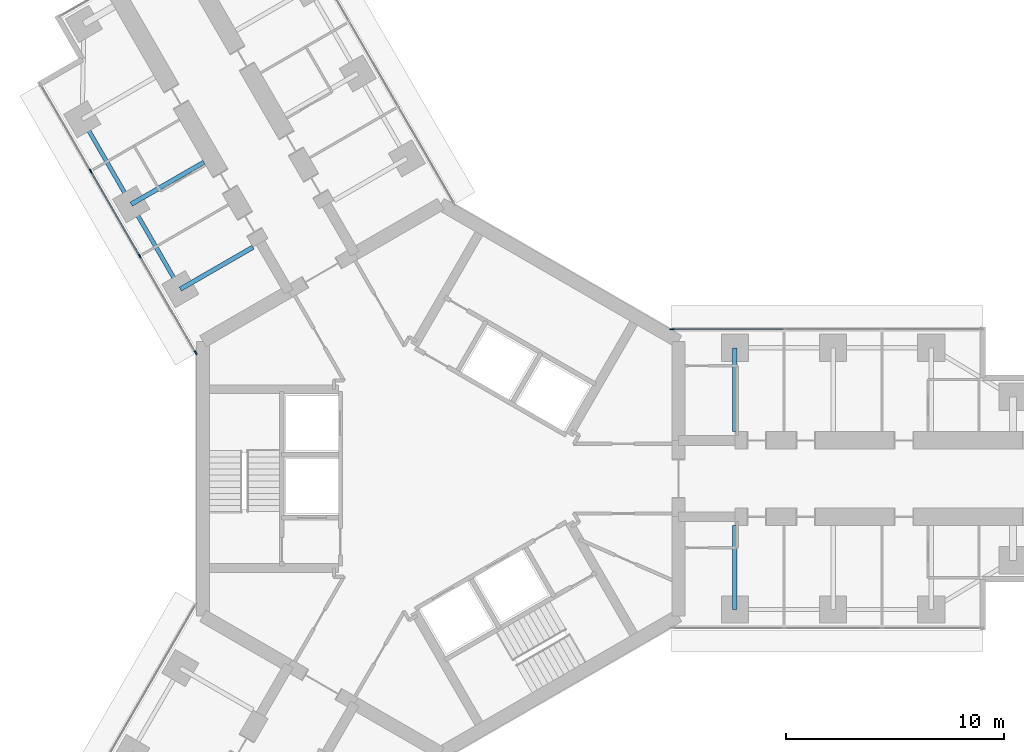
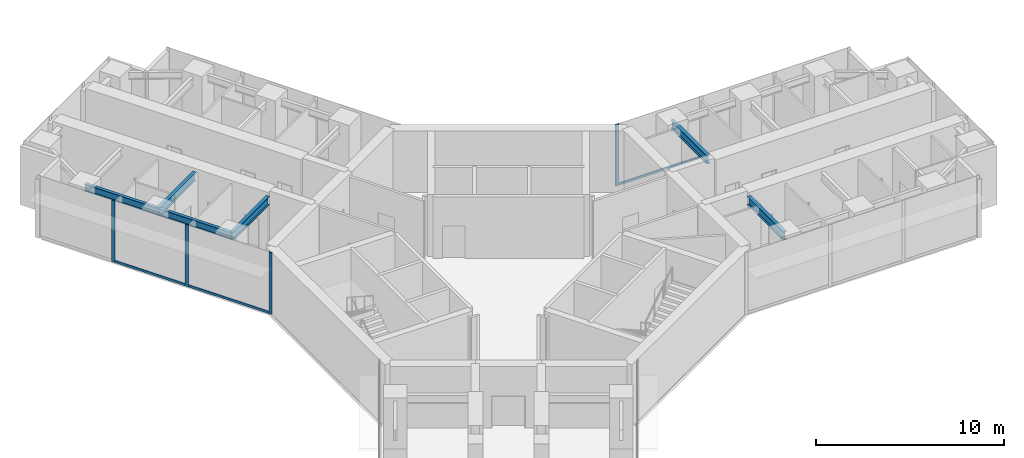
# One storey, part 5 of 23: 7 members, 6 beams, 2 elements without a shape of their own.
"""IFC4 building model written with IfcOpenShell, lengths in metres."""

from ifc_helpers import new_model, si_unit, direction, frame, origin, origin_2d, place, context, subcontext, project, spatial, rectangle, i_section, extrude, material, material_profile, profile_set, type_object, element, aggregate, save


model = new_model("IFC4")

# Units and contexts
model_context = context("Model", 3, precision=1e-05, world=origin(), true_north=direction((0.0, 1.0)))
body_context = subcontext(model_context, "Body", "Model", "MODEL_VIEW")
ifc_project = project(units=[si_unit("LENGTHUNIT", "METRE"), si_unit("AREAUNIT", "SQUARE_METRE"), si_unit("VOLUMEUNIT", "CUBIC_METRE"), si_unit("PLANEANGLEUNIT", "RADIAN"), si_unit("MASSUNIT", "GRAM", prefix="KILO")], contexts=[model_context])

# Site, building, storey
site_placement = place(None, origin())
site = spatial("IfcSite", under=ifc_project, at=site_placement, CompositionType="ELEMENT")
building_placement = place(site_placement, origin())
building = spatial("IfcBuilding", under=site, at=building_placement, Name="Upepo Twin Towers", CompositionType="ELEMENT")
storey_placement = place(building_placement, frame((0.0, 0.0, 149.5)))
storey = spatial("IfcBuildingStorey", under=building, at=storey_placement, Name="L36", CompositionType="ELEMENT", Elevation=149.5)

# Beams
ifc_material_1 = material(Name="Steel S355", Category="steel")
ifc_material_profile_1 = material_profile(ifc_material_1, i_section(OverallWidth=0.1904296875, OverallDepth=0.45703125, WebThickness=0.009033203125, FlangeThickness=0.014404296875, FilletRadius=0.01025390625, at=origin_2d()), Name="UB 457x191x74")
ifc_profile_set_1 = profile_set([ifc_material_profile_1], Name="Steel S355")
beam_type_1 = type_object("IfcBeamType", Name="Beam UB 457x191x74", PredefinedType="BEAM", material=ifc_profile_set_1)
beam_1_placement = place(storey_placement, frame((-11.946044921875, 8.69140625, 3.571533203125), z_axis=(-0.500013631625, 0.866017533419, 0.0), x_axis=(-0.866017533419, -0.500013631625, 0.0)))
element("IfcBeam", 1, at=beam_1_placement, inside=storey, type_object=beam_type_1, Name="T1 edge beam BL 13.5-18.0", PredefinedType="BEAM", context=body_context, shape_type="SweptSolid", body=[
    extrude(i_section(OverallWidth=0.1904296875, OverallDepth=0.45703125, WebThickness=0.009033203125, FlangeThickness=0.014404296875, FilletRadius=0.01025390625, at=origin_2d()), origin(), (0.0, 0.0, 1.0), 4.499755859375),
])
beam_2_placement = place(storey_placement, frame((-14.196044921875, 12.58837890625, 3.571533203125), z_axis=(-0.499990139034, 0.866031096941, 0.0), x_axis=(-0.866031096941, -0.499990139034, 0.0)))
element("IfcBeam", 2, at=beam_2_placement, inside=storey, type_object=beam_type_1, Name="T1 edge beam BL 18.0-22.5", PredefinedType="BEAM", context=body_context, shape_type="SweptSolid", body=[
    extrude(i_section(OverallWidth=0.1904296875, OverallDepth=0.45703125, WebThickness=0.009033203125, FlangeThickness=0.014404296875, FilletRadius=0.01025390625, at=origin_2d()), origin(), (0.0, 0.0, 1.0), 4.5),
])
ifc_material_2 = material(Name="Steel S355", Category="steel")
ifc_material_profile_2 = material_profile(ifc_material_2, i_section(OverallWidth=0.209228515625, OverallDepth=0.533203125, WebThickness=0.010009765625, FlangeThickness=0.015625, FilletRadius=0.0126953125, at=origin_2d()), Name="UB 533x210x92")
ifc_profile_set_2 = profile_set([ifc_material_profile_2], Name="Steel S355")
beam_type_2 = type_object("IfcBeamType", Name="Beam UB 533x210x92", PredefinedType="BEAM", material=ifc_profile_set_2)
for number, where, z_axis, x_axis, name in (
    (3, (13.5, 6.0, 3.533447265625), (0.0, -1.0, 0.0), (1.0, 0.0, 0.0), "T1 girder AL at 13.5"),
    (4, (13.5, -6.0, 3.533447265625), (0.0, 1.0, 0.0), (-1.0, 0.0, 0.0), "T1 girder AR at 13.5"),
):
    element("IfcBeam", number, at=place(storey_placement, frame(where, z_axis=z_axis, x_axis=x_axis)), inside=storey, type_object=beam_type_2, Name=name, PredefinedType="BEAM", context=body_context, shape_type="SweptSolid", body=[
        extrude(i_section(OverallWidth=0.209228515625, OverallDepth=0.533203125, WebThickness=0.010009765625, FlangeThickness=0.015625, FilletRadius=0.0126953125, at=origin_2d()), origin(), (0.0, 0.0, 1.0), 3.85009765625),
    ])
for number, where, z_axis, x_axis, name in (
    (5, (-11.946044921875, 8.69140625, 3.533447265625), (0.866006051527, 0.500033517596, 0.0), (-0.500033517596, 0.866006051527, 0.0), "T1 girder BL at 13.5"),
    (6, (-14.196044921875, 12.58837890625, 3.533447265625), (0.866006051527, 0.500033517596, 0.0), (-0.500033517596, 0.866006051527, 0.0), "T1 girder BL at 18.0"),
):
    element("IfcBeam", number, at=place(storey_placement, frame(where, z_axis=z_axis, x_axis=x_axis)), inside=storey, type_object=beam_type_2, Name=name, PredefinedType="BEAM", context=body_context, shape_type="SweptSolid", body=[
        extrude(i_section(OverallWidth=0.209228515625, OverallDepth=0.533203125, WebThickness=0.010009765625, FlangeThickness=0.015625, FilletRadius=0.0126953125, at=origin_2d()), origin(), (0.0, 0.0, 1.0), 3.849853515625),
    ])

# Curtain wall, member
ifc_material_3 = material(Name="Aluminium and fritted glass", Category="aluminium")
curtain_wall_type = type_object("IfcCurtainWallType", Name="Tower curtain wall TW2, fritted glass", PredefinedType="NOTDEFINED", material=ifc_material_3)
curtain_wall_1_placement = place(storey_placement, origin())
curtain_wall_1 = element("IfcCurtainWall", 7, at=curtain_wall_1_placement, inside=storey, type_object=curtain_wall_type, Name="T1 L36 wing A flank L curtain wall", PredefinedType="NOTDEFINED")
ifc_material_4 = material(Name="Aluminium mullion", Category="aluminium")
ifc_material_profile_3 = material_profile(ifc_material_4, rectangle(XDim=0.06494140625, YDim=0.199951171875, at=origin_2d()), Name="MULLION 65x200")
ifc_profile_set_3 = profile_set([ifc_material_profile_3], Name="Aluminium mullion")
member_type_1 = type_object("IfcMemberType", Name="Mullion 65x200 TW2", PredefinedType="MULLION", material=ifc_profile_set_3)
member_1_placement = place(storey_placement, frame((10.61962890625, 6.85009765625, 0.0), z_axis=(0.0, 0.0, 1.0), x_axis=(0.0, 1.0, 0.0)))
member_1 = element("IfcMember", 8, at=member_1_placement, type_object=member_type_1, Name="T1 L36 wing A flank L curtain wall mullion 1", PredefinedType="MULLION", context=body_context, shape_type="SweptSolid", body=[
    extrude(rectangle(XDim=0.06494140625, YDim=0.199951171875, at=origin_2d()), origin(), (0.0, 0.0, 1.0), 4.0),
])

# Curtain wall, members
curtain_wall_2_placement = place(storey_placement, origin())
curtain_wall_2 = element("IfcCurtainWall", 9, at=curtain_wall_2_placement, inside=storey, type_object=curtain_wall_type, Name="T1 L36 wing B flank L curtain wall", PredefinedType="NOTDEFINED")
member_2_placement = place(storey_placement, frame((-11.2421875, 5.77197265625, 0.0), z_axis=(0.0, 0.0, 1.0), x_axis=(-0.866025397833, -0.500000010308, 0.0)))
member_2 = element("IfcMember", 10, at=member_2_placement, type_object=member_type_1, Name="T1 L36 wing B flank L curtain wall mullion 1", PredefinedType="MULLION", context=body_context, shape_type="SweptSolid", body=[
    extrude(rectangle(XDim=0.06494140625, YDim=0.199951171875, at=origin_2d()), origin(), (0.0, 0.0, 1.0), 4.0),
])
member_3_placement = place(storey_placement, frame((-13.807373046875, 10.21484375, 0.0), z_axis=(0.0, 0.0, 1.0), x_axis=(-0.866025397833, -0.500000010308, 0.0)))
member_3 = element("IfcMember", 11, at=member_3_placement, type_object=member_type_1, Name="T1 L36 wing B flank L curtain wall mullion 2", PredefinedType="MULLION", context=body_context, shape_type="SweptSolid", body=[
    extrude(rectangle(XDim=0.06494140625, YDim=0.199951171875, at=origin_2d()), origin(), (0.0, 0.0, 1.0), 4.0),
])
member_4_placement = place(storey_placement, frame((-16.057373046875, 14.112060546875, 0.0), z_axis=(0.0, 0.0, 1.0), x_axis=(-0.866025397833, -0.500000010308, 0.0)))
member_4 = element("IfcMember", 12, at=member_4_placement, type_object=member_type_1, Name="T1 L36 wing B flank L curtain wall mullion 3", PredefinedType="MULLION", context=body_context, shape_type="SweptSolid", body=[
    extrude(rectangle(XDim=0.06494140625, YDim=0.199951171875, at=origin_2d()), origin(), (0.0, 0.0, 1.0), 4.0),
])

# Member
ifc_material_5 = material(Name="Aluminium transom", Category="aluminium")
ifc_material_profile_4 = material_profile(ifc_material_5, rectangle(XDim=0.06494140625, YDim=0.14990234375, at=origin_2d()), Name="TRANSOM 65x150")
ifc_profile_set_4 = profile_set([ifc_material_profile_4], Name="Aluminium transom")
member_type_2 = type_object("IfcMemberType", Name="Transom 65x150 TW2", PredefinedType="USERDEFINED", material=ifc_profile_set_4)
member_5_placement = place(storey_placement, frame((10.652099609375, 6.85009765625, 0.074951171875), z_axis=(1.0, 0.0, 0.0), x_axis=(0.0, 1.0, 0.0)))
member_5 = element("IfcMember", 13, at=member_5_placement, type_object=member_type_2, Name="T1 L36 wing A flank L curtain wall transom 1", ObjectType="TRANSOM", PredefinedType="USERDEFINED", context=body_context, shape_type="SweptSolid", body=[
    extrude(rectangle(XDim=0.06494140625, YDim=0.14990234375, at=origin_2d()), origin(), (0.0, 0.0, 1.0), 5.0654296875),
])

aggregate(curtain_wall_1, [member_1, member_5])

member_6_placement = place(storey_placement, frame((-11.25830078125, 5.800048828125, 0.074951171875), z_axis=(-0.500006158363, 0.866021848223, 0.0), x_axis=(-0.866021848223, -0.500006158363, 0.0)))
member_6 = element("IfcMember", 14, at=member_6_placement, type_object=member_type_2, Name="T1 L36 wing B flank L curtain wall transom 1", ObjectType="TRANSOM", PredefinedType="USERDEFINED", context=body_context, shape_type="SweptSolid", body=[
    extrude(rectangle(XDim=0.06494140625, YDim=0.14990234375, at=origin_2d()), origin(), (0.0, 0.0, 1.0), 5.0654296875),
])

member_7_placement = place(storey_placement, frame((-13.823486328125, 10.2431640625, 0.074951171875), z_axis=(-0.500005184116, 0.866022410713, 0.0), x_axis=(-0.866022410713, -0.500005184116, 0.0)))
member_7 = element("IfcMember", 15, at=member_7_placement, type_object=member_type_2, Name="T1 L36 wing B flank L curtain wall transom 2", ObjectType="TRANSOM", PredefinedType="USERDEFINED", context=body_context, shape_type="SweptSolid", body=[
    extrude(rectangle(XDim=0.06494140625, YDim=0.14990234375, at=origin_2d()), origin(), (0.0, 0.0, 1.0), 4.43505859375),
])

aggregate(curtain_wall_2, [member_2, member_3, member_4, member_6, member_7])

save(model, "model.ifc")
